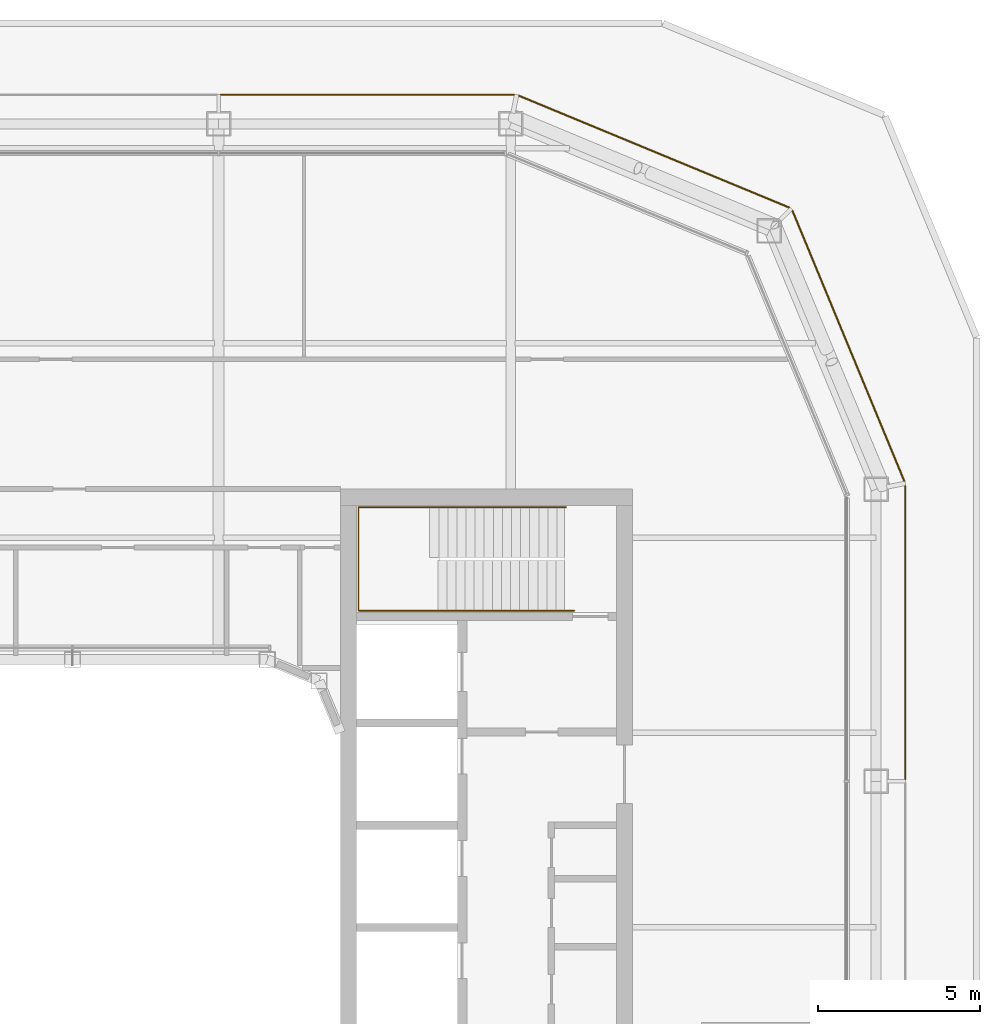
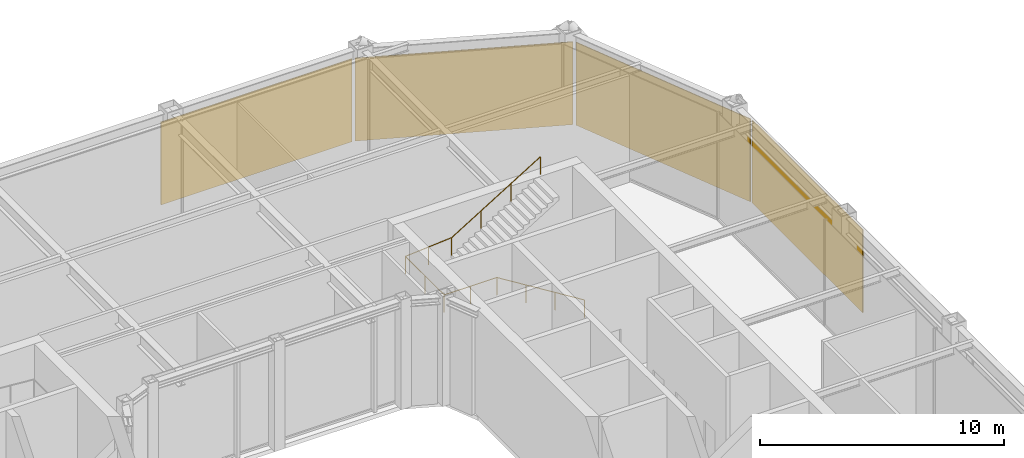
# One storey, part 17 of 17: 4 coverings, 1 railing.
"""IFC4 building model written with IfcOpenShell, lengths in metres."""

import ifcopenshell
import ifcopenshell.guid

model = None  # the IFC model being written
_history = None  # IfcOwnerHistory: only IFC2X3 demands one
_inside = {}  # id of a spatial element -> (the spatial element, [elements in it])
_under = {}  # id of a project, library or spatial element -> (it, [spatial elements below it])
_declared = {}  # id of a project -> (the project, [libraries it declares])
_typed = {}  # id of a type object -> (the type object, [elements of that type])
_made_of = {}  # id of a material, layer set ... -> (it, [elements and type objects made of it])


def new_model(schema):
    """Start an empty IFC model of exactly this schema.

    Asked for "IFC4X3", IfcOpenShell would pick the latest addendum, in which some entities
    have other attributes; the version numbers below select the first issue.
    IFC2X3 requires an IfcOwnerHistory on every rooted entity: one is made here for all.
    """
    global model, _history
    if schema == "IFC4X3":
        model = ifcopenshell.file(schema_version=(4, 3, 0, 0))
    else:
        model = ifcopenshell.file(schema=schema)
    _inside.clear()
    _under.clear()
    _declared.clear()
    _typed.clear()
    _made_of.clear()
    _history = None
    if model.schema == "IFC2X3":
        org = make("IfcOrganization", Name="unknown")
        user = make(
            "IfcPersonAndOrganization",
            ThePerson=make("IfcPerson", FamilyName="unknown"),
            TheOrganization=org,
        )
        app = make(
            "IfcApplication",
            ApplicationDeveloper=org,
            Version="unknown",
            ApplicationFullName="unknown",
            ApplicationIdentifier="unknown",
        )
        _history = make(
            "IfcOwnerHistory",
            OwningUser=user,
            OwningApplication=app,
            ChangeAction="ADDED",
            CreationDate=0,
        )
    return model


def make(cls, **values):
    """One entity of the class cls with the attributes given. An attribute that is None is left unset."""
    return model.create_entity(
        cls, **{name: value for name, value in values.items() if value is not None}
    )


def rooted(cls, **values):
    """An entity with a GlobalId (a new one), such as an element, a storey or a relation."""
    return make(cls, GlobalId=ifcopenshell.guid.new(), OwnerHistory=_history, **values)


def si_unit(unit_type, name, prefix=None):
    """IfcSIUnit, for example si_unit("LENGTHUNIT", "METRE", prefix="MILLI")."""
    return make("IfcSIUnit", UnitType=unit_type, Prefix=prefix, Name=name)


def assignment(units):
    """IfcUnitAssignment: the units of a project."""
    return None if units is None else make("IfcUnitAssignment", Units=units)


def point(xyz):
    """IfcCartesianPoint."""
    return None if xyz is None else make("IfcCartesianPoint", Coordinates=xyz)


def direction(xyz):
    """IfcDirection."""
    return None if xyz is None else make("IfcDirection", DirectionRatios=xyz)


def frame(location, z_axis=None, x_axis=None):
    """IfcAxis2Placement3D, a coordinate frame: its origin and axes. An axis left out is left unset."""
    return make(
        "IfcAxis2Placement3D",
        Location=point(location),
        Axis=direction(z_axis),
        RefDirection=direction(x_axis),
    )


def frame_2d(location, x_axis=None):
    """IfcAxis2Placement2D, a coordinate frame in the plane: its origin and x axis."""
    return make(
        "IfcAxis2Placement2D", Location=point(location), RefDirection=direction(x_axis)
    )


def origin():
    """The frame at (0, 0, 0) with its axes left unset."""
    return frame((0.0, 0.0, 0.0))


def origin_2d():
    """The frame at (0, 0) in the plane with its x axis left unset."""
    return frame_2d((0.0, 0.0))


def place(relative_to, where):
    """IfcLocalPlacement: puts the frame where relative to a parent placement (None: the world)."""
    return make(
        "IfcLocalPlacement", PlacementRelTo=relative_to, RelativePlacement=where
    )


def context(
    kind, dimensions, precision=None, world=None, true_north=None, identifier=None
):
    """IfcGeometricRepresentationContext, for example the 3D "Model" context."""
    return make(
        "IfcGeometricRepresentationContext",
        ContextIdentifier=identifier,
        ContextType=kind,
        CoordinateSpaceDimension=dimensions,
        Precision=precision,
        WorldCoordinateSystem=world,
        TrueNorth=true_north,
    )


def subcontext(parent, identifier, kind, view, scale=None):
    """IfcGeometricRepresentationSubContext, for example "Body" below "Model"."""
    return make(
        "IfcGeometricRepresentationSubContext",
        ContextIdentifier=identifier,
        ContextType=kind,
        ParentContext=parent,
        TargetScale=scale,
        TargetView=view,
    )


def project(units=None, contexts=None):
    """IfcProject with its units and contexts."""
    return rooted(
        "IfcProject",
        Name="project",
        RepresentationContexts=contexts,
        UnitsInContext=assignment(units),
    )


def spatial(cls, under=None, at=None, **own):
    """A site, building, storey or space (cls), placed at a placement, below another one or the project."""
    s = rooted(cls, ObjectPlacement=at, **own)
    if under is not None:
        _under.setdefault(under.id(), (under, []))[1].append(s)
    return s


def profile(cls, at=None, kind="AREA", **sizes):
    """A parametric profile (cls). Its sizes go by their IFC names, for example OverallWidth=200.0."""
    return make(cls, ProfileType=kind, Position=at, **sizes)


def rectangle(**sizes):
    """IfcRectangleProfileDef."""
    return profile("IfcRectangleProfileDef", **sizes)


def circle(**sizes):
    """IfcCircleProfileDef."""
    return profile("IfcCircleProfileDef", **sizes)


def extrude(swept, where, along, depth):
    """IfcExtrudedAreaSolid: the profile swept, set in the frame where, extruded along a direction by depth."""
    return make(
        "IfcExtrudedAreaSolid",
        SweptArea=swept,
        Position=where,
        ExtrudedDirection=direction(along),
        Depth=depth,
    )


def shape(context_of_items, identifier, shape_type, items):
    """IfcShapeRepresentation: the items that make up one representation, for example the "Body"."""
    return make(
        "IfcShapeRepresentation",
        ContextOfItems=context_of_items,
        RepresentationIdentifier=identifier,
        RepresentationType=shape_type,
        Items=items,
    )


def material(Name=None, Category=None):
    """IfcMaterial."""
    return make("IfcMaterial", Name=Name, Category=Category)


def layer(
    of_material, thickness, ventilated=None, Name=None, Category=None, Priority=None
):
    """IfcMaterialLayer: one layer of a wall or slab, of a material (None: an air gap)."""
    return make(
        "IfcMaterialLayer",
        Material=of_material,
        LayerThickness=thickness,
        IsVentilated=ventilated,
        Name=Name,
        Category=Category,
        Priority=Priority,
    )


def layer_set(layers, Name=None):
    """IfcMaterialLayerSet."""
    return make("IfcMaterialLayerSet", MaterialLayers=layers, LayerSetName=Name)


def made_of(thing, what):
    """Note that an element or type object is made of a material, layer set ...; save() writes the relation."""
    if what is not None:
        _made_of.setdefault(what.id(), (what, []))[1].append(thing)
    return thing


def type_object(cls, material=None, **own):
    """A type object (cls), such as IfcWallType, which elements share."""
    return made_of(rooted(cls, **own), material)


def element(
    cls,
    number,
    at=None,
    inside=None,
    cuts=None,
    type_object=None,
    material=None,
    context=None,
    identifier="Body",
    shape_type=None,
    held_by="IfcProductDefinitionShape",
    body=None,
    shapes=None,
    **own,
):
    """One element of the class cls, such as IfcWall. Its Tag is "e" and its number.

    at: its placement. inside: the storey or other place that contains it. cuts: it is an
    opening in that element (IfcRelVoidsElement). A single representation is given by context,
    identifier, shape_type and body (its items); several are given by shapes. held_by: the class
    of the entity that holds the representations. save() writes the other relations.
    """
    e = rooted(cls, Tag="e%d" % number, ObjectPlacement=at, **own)
    if body is not None:
        shapes = [shape(context, identifier, shape_type, body)]
    if shapes is not None:
        e.Representation = make(held_by, Representations=shapes)
    if inside is not None:
        _inside.setdefault(inside.id(), (inside, []))[1].append(e)
    if cuts is not None:
        rooted(
            "IfcRelVoidsElement", RelatingBuildingElement=cuts, RelatedOpeningElement=e
        )
    if type_object is not None:
        _typed.setdefault(type_object.id(), (type_object, []))[1].append(e)
    return made_of(e, material)


def aggregate(whole, parts):
    """IfcRelAggregates: a whole, such as a stair, and the parts it consists of."""
    return rooted("IfcRelAggregates", RelatingObject=whole, RelatedObjects=parts)


def save(model, path):
    """Write the relations noted so far, then the file.

    IfcRelAggregates (storeys below a building ...), IfcRelContainedInSpatialStructure (elements
    in a storey), IfcRelDefinesByType, IfcRelAssociatesMaterial and IfcRelDeclares: one each for
    every whole, place, type object, material and project.
    """
    for whole, parts in _under.values():
        aggregate(whole, parts)
    for where, things in _inside.values():
        rooted(
            "IfcRelContainedInSpatialStructure",
            RelatedElements=things,
            RelatingStructure=where,
        )
    for kind, things in _typed.values():
        rooted("IfcRelDefinesByType", RelatedObjects=things, RelatingType=kind)
    for what, things in _made_of.values():
        rooted("IfcRelAssociatesMaterial", RelatedObjects=things, RelatingMaterial=what)
    for by, libraries in _declared.values():
        rooted("IfcRelDeclares", RelatingContext=by, RelatedDefinitions=libraries)
    model.write(path)


model = new_model("IFC4")

# Units and contexts
model_context = context("Model", 3, precision=1e-05, world=origin(), true_north=direction((0.0, 1.0)))
body_context = subcontext(model_context, "Body", "Model", "MODEL_VIEW")
ifc_project = project(units=[si_unit("LENGTHUNIT", "METRE"), si_unit("AREAUNIT", "SQUARE_METRE"), si_unit("VOLUMEUNIT", "CUBIC_METRE"), si_unit("PLANEANGLEUNIT", "RADIAN"), si_unit("MASSUNIT", "GRAM", prefix="KILO")], contexts=[model_context])

# Site, building, storey
site_placement = place(None, origin())
site = spatial("IfcSite", under=ifc_project, at=site_placement, CompositionType="ELEMENT")
building_placement = place(site_placement, origin())
building = spatial("IfcBuilding", under=site, at=building_placement, Name="Siwar Civic Tower", CompositionType="ELEMENT")
storey_placement = place(building_placement, frame((0.0, 0.0, 284.199951171875)))
storey = spatial("IfcBuildingStorey", under=building, at=storey_placement, Name="L61", CompositionType="ELEMENT", Elevation=284.199951171875)

# Railing
ifc_material_1 = material(Name="Stainless steel", Category="steel")
railing_type = type_object("IfcRailingType", Name="CORE-STAIR-HANDRAIL", PredefinedType="HANDRAIL", material=ifc_material_1)
railing_placement = place(storey_placement, frame((15.449951171875, 9.758056640625, 0.171875)))
element("IfcRailing", 1, at=railing_placement, inside=storey, type_object=railing_type, Name="Stair handrail ST3", PredefinedType="HANDRAIL", context=body_context, shape_type="SweptSolid", body=[
    extrude(circle(Radius=0.02001953125, at=origin_2d()), frame((0.0, 0.0, 0.8798828125), z_axis=(-0.849426996612, 0.0, 0.527706146854), x_axis=(0.0, -1.0, 0.0)), (0.0, 0.0, 1.0), 4.885498046875),
    extrude(circle(Radius=0.02001953125, at=origin_2d()), frame((-4.14990234375, 0.0, 3.4580078125), z_axis=(-1.0, 0.0, 0.0), x_axis=(0.0, -1.0, 0.0)), (0.0, 0.0, 1.0), 2.491943359375),
    extrude(circle(Radius=0.02001953125, at=origin_2d()), frame((-6.641845703125, 0.0, 3.4580078125), z_axis=(0.0, 1.0, 0.0), x_axis=(-1.0, 0.0, 0.0)), (0.0, 0.0, 1.0), 3.183837890625),
    extrude(circle(Radius=0.02001953125, at=origin_2d()), frame((-6.641845703125, 3.183837890625, 3.4580078125), z_axis=(0.996939735461, 0.0, 0.078173933367), x_axis=(0.0, 1.0, 0.0)), (0.0, 0.0, 1.0), 2.19873046875),
    extrude(circle(Radius=0.02001953125, at=origin_2d()), frame((-4.449951171875, 3.183837890625, 3.6298828125), z_axis=(0.852242915053, 0.0, 0.523146264196), x_axis=(0.0, 1.0, 0.0)), (0.0, 0.0, 1.0), 4.92822265625),
    extrude(circle(Radius=0.02001953125, at=origin_2d()), origin(), (0.0, 0.0, 1.0), 0.85986328125),
    extrude(circle(Radius=0.02001953125, at=origin_2d()), frame((-1.38330078125, 0.0, 0.859375)), (0.0, 0.0, 1.0), 0.85986328125),
    extrude(circle(Radius=0.02001953125, at=origin_2d()), frame((-2.7666015625, 0.0, 1.71875)), (0.0, 0.0, 1.0), 0.85986328125),
    extrude(circle(Radius=0.02001953125, at=origin_2d()), frame((-4.14990234375, 0.0, 2.578125)), (0.0, 0.0, 1.0), 0.85986328125),
    extrude(circle(Radius=0.02001953125, at=origin_2d()), frame((-5.39599609375, 0.0, 2.578125)), (0.0, 0.0, 1.0), 0.85986328125),
    extrude(circle(Radius=0.02001953125, at=origin_2d()), frame((-6.641845703125, 0.0, 2.578125)), (0.0, 0.0, 1.0), 0.85986328125),
    extrude(circle(Radius=0.02001953125, at=origin_2d()), frame((-6.641845703125, 1.591796875, 2.578125)), (0.0, 0.0, 1.0), 0.85986328125),
    extrude(circle(Radius=0.02001953125, at=origin_2d()), frame((-6.641845703125, 3.183837890625, 2.578125)), (0.0, 0.0, 1.0), 0.85986328125),
    extrude(circle(Radius=0.02001953125, at=origin_2d()), frame((-5.5458984375, 3.183837890625, 2.6640625)), (0.0, 0.0, 1.0), 0.85986328125),
    extrude(circle(Radius=0.02001953125, at=origin_2d()), frame((-4.449951171875, 3.183837890625, 2.75)), (0.0, 0.0, 1.0), 0.85986328125),
    extrude(circle(Radius=0.02001953125, at=origin_2d()), frame((-3.050048828125, 3.183837890625, 3.609375)), (0.0, 0.0, 1.0), 0.85986328125),
    extrude(circle(Radius=0.02001953125, at=origin_2d()), frame((-1.64990234375, 3.183837890625, 4.46875)), (0.0, 0.0, 1.0), 0.85986328125),
    extrude(circle(Radius=0.02001953125, at=origin_2d()), frame((-0.25, 3.183837890625, 5.328125)), (0.0, 0.0, 1.0), 0.85986328125),
])

# Coverings
ifc_material_2 = material(Name="Perforated aluminium cassette, pale metal", Category="aluminium")
ifc_layer = layer(ifc_material_2, 0.0400390625)
ifc_layer_set = layer_set([ifc_layer], Name="Perforated aluminium cassette, pale metal")
covering_type = type_object("IfcCoveringType", Name="ENV-OUTER SKIN OS-1", PredefinedType="CLADDING", material=ifc_layer_set)
covering_1_placement = place(storey_placement, frame((25.64990234375, 9.07958984375, 0.0), z_axis=(0.0, 0.0, 1.0), x_axis=(0.0, 1.0, 0.0)))
element("IfcCovering", 2, at=covering_1_placement, inside=storey, type_object=covering_type, Name="OUTER SKIN OS-1 E 3", PredefinedType="CLADDING", context=body_context, shape_type="SweptSolid", body=[
    extrude(rectangle(XDim=9.05908203125, YDim=0.0400390625, at=origin_2d()), origin(), (0.0, 0.0, 1.0), 4.14990234375),
])
for number, where, z_axis, x_axis, name in (
    (3, (23.89697265625, 17.911376953125, 0.0), (0.0, 0.0, 1.0), (-0.382683432365, 0.923879532511, 0.0), "OUTER SKIN OS-1 NE1 1"),
    (4, (17.911376953125, 23.89697265625, 0.0), (0.0, 0.0, 1.0), (-0.923879532511, 0.382683432365, 0.0), "OUTER SKIN OS-1 NE2 1"),
):
    element("IfcCovering", number, at=place(storey_placement, frame(where, z_axis=z_axis, x_axis=x_axis)), inside=storey, type_object=covering_type, Name=name, PredefinedType="CLADDING", context=body_context, shape_type="SweptSolid", body=[
        extrude(rectangle(XDim=9.022216796875, YDim=0.0400390625, at=origin_2d()), origin(), (0.0, 0.0, 1.0), 4.14990234375),
    ])
covering_2_placement = place(storey_placement, frame((9.07958984375, 25.64990234375, 0.0), z_axis=(0.0, 0.0, 1.0), x_axis=(-1.0, 0.0, 0.0)))
element("IfcCovering", 5, at=covering_2_placement, inside=storey, type_object=covering_type, Name="OUTER SKIN OS-1 N 1", PredefinedType="CLADDING", context=body_context, shape_type="SweptSolid", body=[
    extrude(rectangle(XDim=9.05908203125, YDim=0.0400390625, at=origin_2d()), origin(), (0.0, 0.0, 1.0), 4.14990234375),
])

save(model, "model.ifc")
